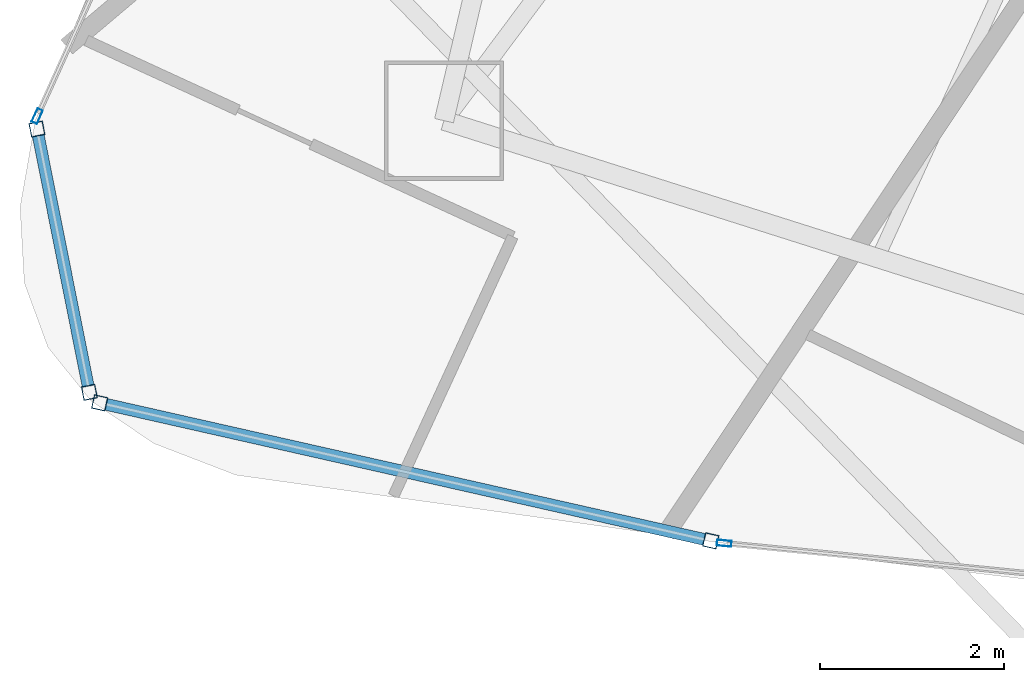
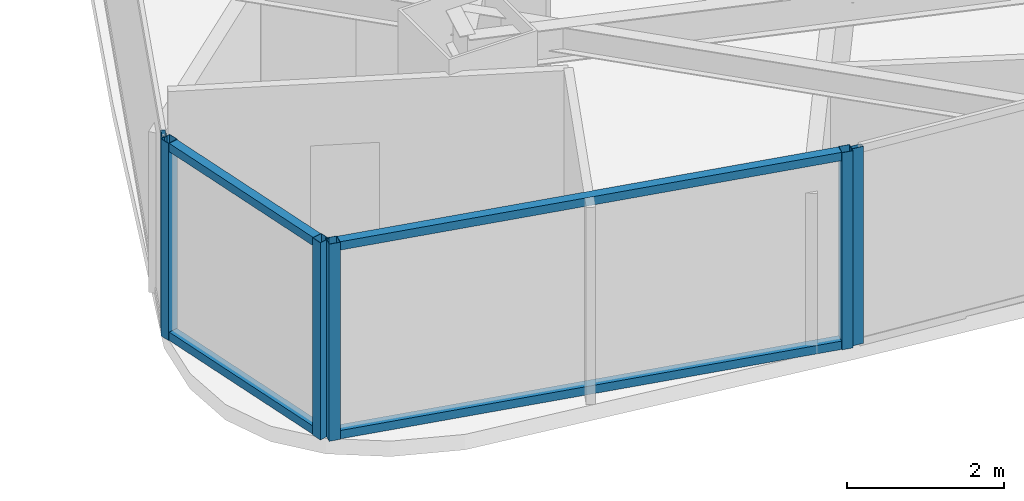
# One storey, part 2 of 33: 10 members, 4 elements without a shape of their own.
"""IFC4 building model written with IfcOpenShell, lengths in metres."""

from ifc_helpers import new_model, si_unit, direction, frame, origin, origin_2d, place, context, subcontext, project, spatial, hollow_rectangle, extrude, material, layer, layer_set, material_profile, profile_set, type_object, element, aggregate, save


model = new_model("IFC4")

# Units and contexts
model_context = context("Model", 3, precision=1e-05, world=origin(), true_north=direction((0.0, 1.0)))
body_context = subcontext(model_context, "Body", "Model", "MODEL_VIEW")
ifc_project = project(units=[si_unit("LENGTHUNIT", "METRE"), si_unit("AREAUNIT", "SQUARE_METRE"), si_unit("VOLUMEUNIT", "CUBIC_METRE"), si_unit("PLANEANGLEUNIT", "RADIAN"), si_unit("MASSUNIT", "GRAM", prefix="KILO")], contexts=[model_context])

# Site, building, storey
site_placement = place(None, origin())
site = spatial("IfcSite", under=ifc_project, at=site_placement, CompositionType="ELEMENT")
building_placement = place(site_placement, origin())
building = spatial("IfcBuilding", under=site, at=building_placement, Name="Orvanel Arch Residences", CompositionType="ELEMENT")
storey_placement = place(building_placement, frame((0.0, 0.0, 206.300048828125)))
storey = spatial("IfcBuildingStorey", under=building, at=storey_placement, Name="L58", CompositionType="ELEMENT", Elevation=206.300048828125)

# Curtain wall, members
ifc_material = material(Name="Bronze-anodised aluminium AA6063-T6", Category="aluminium")
ifc_layer_1 = layer(ifc_material, 0.18994140625)
ifc_layer_set_1 = layer_set([ifc_layer_1], Name="Bronze-anodised aluminium AA6063-T6")
curtain_wall_type_1 = type_object("IfcCurtainWallType", Name="CW5-CRN-SYS", PredefinedType="NOTDEFINED", material=ifc_layer_set_1)
curtain_wall_1_placement = place(storey_placement, origin())
curtain_wall_1 = element("IfcCurtainWall", 1, at=curtain_wall_1_placement, inside=storey, type_object=curtain_wall_type_1, Name="L58 CW5-CRN-SYS Unitised Curtain Wall", PredefinedType="NOTDEFINED")
ifc_material_profile_1 = material_profile(ifc_material, hollow_rectangle(XDim=0.14990234375, YDim=0.14990234375, WallThickness=0.0048828125, at=origin_2d()), Name="ALU150x150x5")
ifc_profile_set_1 = profile_set([ifc_material_profile_1], Name="Bronze-anodised aluminium AA6063-T6")
member_type_1 = type_object("IfcMemberType", Name="MUL-150x150", PredefinedType="MULLION", material=ifc_profile_set_1)
member_1_placement = place(storey_placement, frame((9.7626953125, 10.259521484375, 0.0), z_axis=(0.0, 0.0, 1.0), x_axis=(0.980730420176, 0.195365920622, 0.0)))
member_1 = element("IfcMember", 2, at=member_1_placement, type_object=member_type_1, Name="CW-S5 mullion 1", PredefinedType="MULLION", context=body_context, shape_type="SweptSolid", body=[
    extrude(hollow_rectangle(XDim=0.14990234375, YDim=0.14990234375, WallThickness=0.0048828125, at=origin_2d()), origin(), (0.0, 0.0, 1.0), 3.06005859375),
])
member_2_placement = place(storey_placement, frame((10.334228515625, 7.3896484375, 0.0), z_axis=(0.0, 0.0, 1.0), x_axis=(0.980730420176, 0.195365920622, 0.0)))
member_2 = element("IfcMember", 3, at=member_2_placement, type_object=member_type_1, Name="CW-S5 mullion 2", PredefinedType="MULLION", context=body_context, shape_type="SweptSolid", body=[
    extrude(hollow_rectangle(XDim=0.14990234375, YDim=0.14990234375, WallThickness=0.0048828125, at=origin_2d()), origin(), (0.0, 0.0, 1.0), 3.06005859375),
])

curtain_wall_2_placement = place(storey_placement, origin())
curtain_wall_2 = element("IfcCurtainWall", 4, at=curtain_wall_2_placement, inside=storey, type_object=curtain_wall_type_1, Name="L58 CW5-CRN-SYS Unitised Curtain Wall", PredefinedType="NOTDEFINED")
member_3_placement = place(storey_placement, frame((10.446044921875, 7.275390625, 0.0), z_axis=(0.0, 0.0, 1.0), x_axis=(0.220282866037, 0.975436035284, 0.0)))
member_3 = element("IfcMember", 5, at=member_3_placement, type_object=member_type_1, Name="CW-S5 mullion 1", PredefinedType="MULLION", context=body_context, shape_type="SweptSolid", body=[
    extrude(hollow_rectangle(XDim=0.14990234375, YDim=0.14990234375, WallThickness=0.0048828125, at=origin_2d()), origin(), (0.0, 0.0, 1.0), 3.06005859375),
])
member_4_placement = place(storey_placement, frame((17.10595703125, 5.771484375, 0.0), z_axis=(0.0, 0.0, 1.0), x_axis=(0.220282866037, 0.975436035284, 0.0)))
member_4 = element("IfcMember", 6, at=member_4_placement, type_object=member_type_1, Name="CW-S5 mullion 2", PredefinedType="MULLION", context=body_context, shape_type="SweptSolid", body=[
    extrude(hollow_rectangle(XDim=0.14990234375, YDim=0.14990234375, WallThickness=0.0048828125, at=origin_2d()), origin(), (0.0, 0.0, 1.0), 3.06005859375),
])

# Curtain wall, member
ifc_layer_2 = layer(ifc_material, 0.175048828125)
ifc_layer_set_2 = layer_set([ifc_layer_2], Name="Bronze-anodised aluminium AA6063-T6")
curtain_wall_type_2 = type_object("IfcCurtainWallType", Name="CW4-HI-SYS", PredefinedType="NOTDEFINED", material=ifc_layer_set_2)
curtain_wall_3_placement = place(storey_placement, origin())
curtain_wall_3 = element("IfcCurtainWall", 7, at=curtain_wall_3_placement, inside=storey, type_object=curtain_wall_type_2, Name="L58 CW4-HI-SYS Unitised Curtain Wall", PredefinedType="NOTDEFINED")
ifc_material_profile_2 = material_profile(ifc_material, hollow_rectangle(XDim=0.06494140625, YDim=0.159912109375, WallThickness=0.00390625, at=origin_2d()), Name="ALU160x65x4")
ifc_profile_set_2 = profile_set([ifc_material_profile_2], Name="Bronze-anodised aluminium AA6063-T6")
member_type_2 = type_object("IfcMemberType", Name="MUL-160x65", PredefinedType="MULLION", material=ifc_profile_set_2)
member_5_placement = place(storey_placement, frame((9.765380859375, 10.400634765625, 0.0), z_axis=(0.0, 0.0, 1.0), x_axis=(0.911395859217, -0.411530785971, 0.0)))
member_5 = element("IfcMember", 8, at=member_5_placement, type_object=member_type_2, Name="CW-S4 mullion 3", PredefinedType="MULLION", context=body_context, shape_type="SweptSolid", body=[
    extrude(hollow_rectangle(XDim=0.06494140625, YDim=0.159912109375, WallThickness=0.00390625, at=origin_2d()), origin(), (0.0, 0.0, 1.0), 3.06005859375),
])
aggregate(curtain_wall_3, [member_5])

curtain_wall_4_placement = place(storey_placement, origin())
curtain_wall_4 = element("IfcCurtainWall", 9, at=curtain_wall_4_placement, inside=storey, type_object=curtain_wall_type_2, Name="L58 CW4-HI-SYS Unitised Curtain Wall", PredefinedType="NOTDEFINED")
member_6_placement = place(storey_placement, frame((17.251220703125, 5.745849609375, 0.0), z_axis=(0.0, 0.0, 1.0), x_axis=(0.098621122229, 0.995125054579, 0.0)))
member_6 = element("IfcMember", 10, at=member_6_placement, type_object=member_type_2, Name="CW-S4 mullion 1", PredefinedType="MULLION", context=body_context, shape_type="SweptSolid", body=[
    extrude(hollow_rectangle(XDim=0.06494140625, YDim=0.159912109375, WallThickness=0.00390625, at=origin_2d()), origin(), (0.0, 0.0, 1.0), 3.06005859375),
])
aggregate(curtain_wall_4, [member_6])

# Member
ifc_material_profile_3 = material_profile(ifc_material, hollow_rectangle(XDim=0.1298828125, YDim=0.1298828125, WallThickness=0.00439453125, at=origin_2d()), Name="ALU130x130x4.5")
ifc_profile_set_3 = profile_set([ifc_material_profile_3], Name="Bronze-anodised aluminium AA6063-T6")
member_type_3 = type_object("IfcMemberType", Name="TRN-130x130", PredefinedType="USERDEFINED", material=ifc_profile_set_3)
member_7_placement = place(storey_placement, frame((9.77734375, 10.185791015625, 0.06494140625), z_axis=(0.1953212021, -0.980739327248, 0.0), x_axis=(0.980739327248, 0.1953212021, 0.0)))
member_7 = element("IfcMember", 11, at=member_7_placement, type_object=member_type_3, Name="CW-S5 transom 1.1", ObjectType="TRANSOM", PredefinedType="USERDEFINED", context=body_context, shape_type="SweptSolid", body=[
    extrude(hollow_rectangle(XDim=0.1298828125, YDim=0.1298828125, WallThickness=0.00439453125, at=origin_2d()), origin(), (0.0, 0.0, 1.0), 2.776123046875),
])

member_8_placement = place(storey_placement, frame((9.77734375, 10.185791015625, 2.994873046875), z_axis=(0.1953212021, -0.980739327248, 0.0), x_axis=(0.980739327248, 0.1953212021, 0.0)))
member_8 = element("IfcMember", 12, at=member_8_placement, type_object=member_type_3, Name="CW-S5 transom 1.2", ObjectType="TRANSOM", PredefinedType="USERDEFINED", context=body_context, shape_type="SweptSolid", body=[
    extrude(hollow_rectangle(XDim=0.1298828125, YDim=0.1298828125, WallThickness=0.00439453125, at=origin_2d()), origin(), (0.0, 0.0, 1.0), 2.776123046875),
])

aggregate(curtain_wall_1, [member_1, member_2, member_7, member_8])

member_9_placement = place(storey_placement, frame((10.519287109375, 7.259033203125, 0.06494140625), z_axis=(0.975435426968, -0.220285559709, 0.0), x_axis=(0.220285559709, 0.975435426968, 0.0)))
member_9 = element("IfcMember", 13, at=member_9_placement, type_object=member_type_3, Name="CW-S5 transom 1.1", ObjectType="TRANSOM", PredefinedType="USERDEFINED", context=body_context, shape_type="SweptSolid", body=[
    extrude(hollow_rectangle(XDim=0.1298828125, YDim=0.1298828125, WallThickness=0.00439453125, at=origin_2d()), origin(), (0.0, 0.0, 1.0), 6.677490234375),
])

member_10_placement = place(storey_placement, frame((10.519287109375, 7.259033203125, 2.994873046875), z_axis=(0.975435426968, -0.220285559709, 0.0), x_axis=(0.220285559709, 0.975435426968, 0.0)))
member_10 = element("IfcMember", 14, at=member_10_placement, type_object=member_type_3, Name="CW-S5 transom 1.2", ObjectType="TRANSOM", PredefinedType="USERDEFINED", context=body_context, shape_type="SweptSolid", body=[
    extrude(hollow_rectangle(XDim=0.1298828125, YDim=0.1298828125, WallThickness=0.00439453125, at=origin_2d()), origin(), (0.0, 0.0, 1.0), 6.677490234375),
])

aggregate(curtain_wall_2, [member_3, member_4, member_9, member_10])

save(model, "model.ifc")
